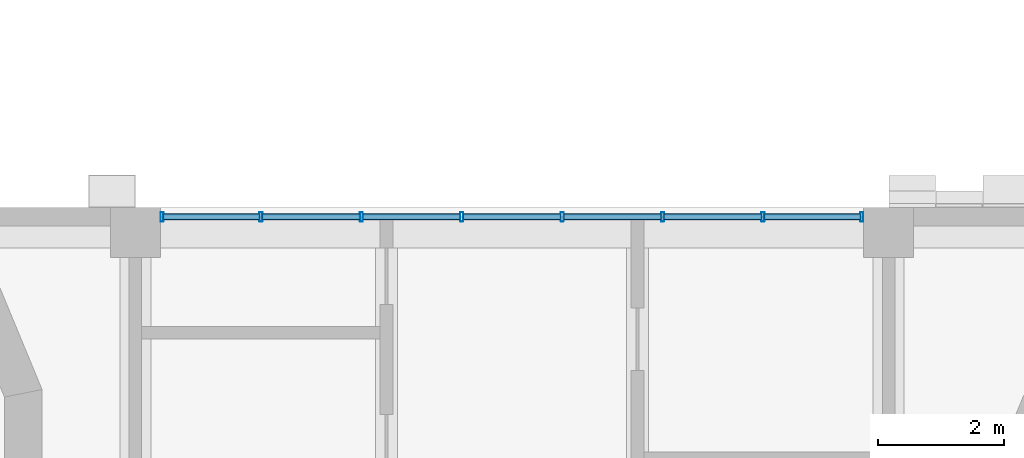
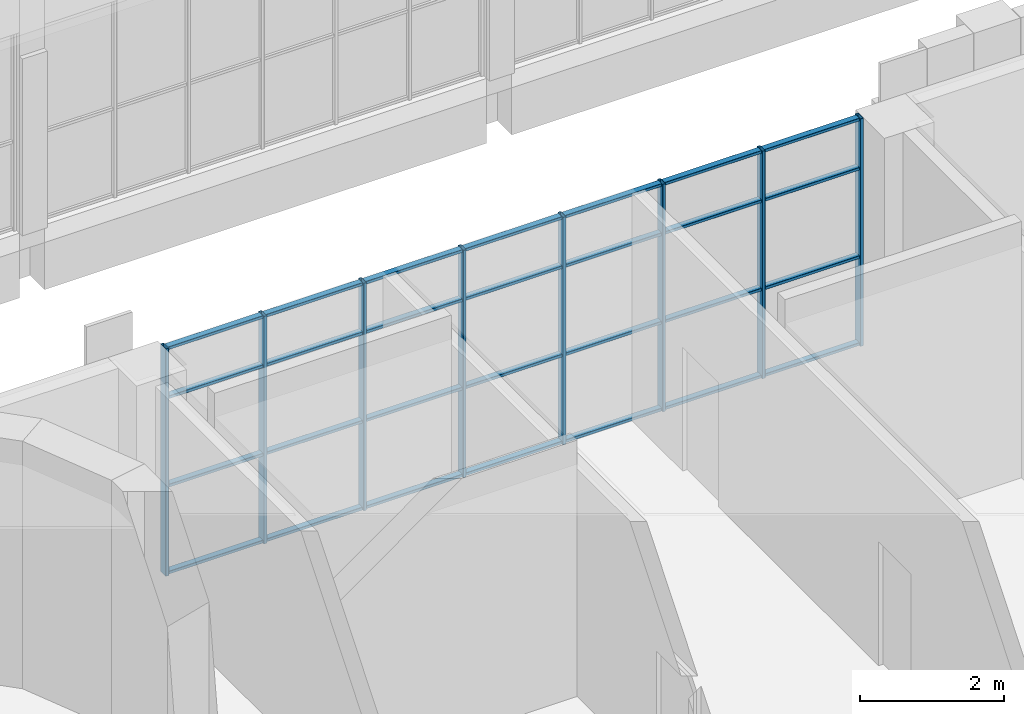
# One storey, part 7 of 92: 36 members, 1 element without a shape of its own.
"""IFC4 building model written with IfcOpenShell, lengths in metres."""

import ifcopenshell
import ifcopenshell.guid

model = None  # the IFC model being written
_history = None  # IfcOwnerHistory: only IFC2X3 demands one
_inside = {}  # id of a spatial element -> (the spatial element, [elements in it])
_under = {}  # id of a project, library or spatial element -> (it, [spatial elements below it])
_declared = {}  # id of a project -> (the project, [libraries it declares])
_typed = {}  # id of a type object -> (the type object, [elements of that type])
_made_of = {}  # id of a material, layer set ... -> (it, [elements and type objects made of it])


def new_model(schema):
    """Start an empty IFC model of exactly this schema.

    Asked for "IFC4X3", IfcOpenShell would pick the latest addendum, in which some entities
    have other attributes; the version numbers below select the first issue.
    IFC2X3 requires an IfcOwnerHistory on every rooted entity: one is made here for all.
    """
    global model, _history
    if schema == "IFC4X3":
        model = ifcopenshell.file(schema_version=(4, 3, 0, 0))
    else:
        model = ifcopenshell.file(schema=schema)
    _inside.clear()
    _under.clear()
    _declared.clear()
    _typed.clear()
    _made_of.clear()
    _history = None
    if model.schema == "IFC2X3":
        org = make("IfcOrganization", Name="unknown")
        user = make(
            "IfcPersonAndOrganization",
            ThePerson=make("IfcPerson", FamilyName="unknown"),
            TheOrganization=org,
        )
        app = make(
            "IfcApplication",
            ApplicationDeveloper=org,
            Version="unknown",
            ApplicationFullName="unknown",
            ApplicationIdentifier="unknown",
        )
        _history = make(
            "IfcOwnerHistory",
            OwningUser=user,
            OwningApplication=app,
            ChangeAction="ADDED",
            CreationDate=0,
        )
    return model


def make(cls, **values):
    """One entity of the class cls with the attributes given. An attribute that is None is left unset."""
    return model.create_entity(
        cls, **{name: value for name, value in values.items() if value is not None}
    )


def rooted(cls, **values):
    """An entity with a GlobalId (a new one), such as an element, a storey or a relation."""
    return make(cls, GlobalId=ifcopenshell.guid.new(), OwnerHistory=_history, **values)


def si_unit(unit_type, name, prefix=None):
    """IfcSIUnit, for example si_unit("LENGTHUNIT", "METRE", prefix="MILLI")."""
    return make("IfcSIUnit", UnitType=unit_type, Prefix=prefix, Name=name)


def assignment(units):
    """IfcUnitAssignment: the units of a project."""
    return None if units is None else make("IfcUnitAssignment", Units=units)


def point(xyz):
    """IfcCartesianPoint."""
    return None if xyz is None else make("IfcCartesianPoint", Coordinates=xyz)


def direction(xyz):
    """IfcDirection."""
    return None if xyz is None else make("IfcDirection", DirectionRatios=xyz)


def frame(location, z_axis=None, x_axis=None):
    """IfcAxis2Placement3D, a coordinate frame: its origin and axes. An axis left out is left unset."""
    return make(
        "IfcAxis2Placement3D",
        Location=point(location),
        Axis=direction(z_axis),
        RefDirection=direction(x_axis),
    )


def frame_2d(location, x_axis=None):
    """IfcAxis2Placement2D, a coordinate frame in the plane: its origin and x axis."""
    return make(
        "IfcAxis2Placement2D", Location=point(location), RefDirection=direction(x_axis)
    )


def origin():
    """The frame at (0, 0, 0) with its axes left unset."""
    return frame((0.0, 0.0, 0.0))


def origin_2d():
    """The frame at (0, 0) in the plane with its x axis left unset."""
    return frame_2d((0.0, 0.0))


def place(relative_to, where):
    """IfcLocalPlacement: puts the frame where relative to a parent placement (None: the world)."""
    return make(
        "IfcLocalPlacement", PlacementRelTo=relative_to, RelativePlacement=where
    )


def context(
    kind, dimensions, precision=None, world=None, true_north=None, identifier=None
):
    """IfcGeometricRepresentationContext, for example the 3D "Model" context."""
    return make(
        "IfcGeometricRepresentationContext",
        ContextIdentifier=identifier,
        ContextType=kind,
        CoordinateSpaceDimension=dimensions,
        Precision=precision,
        WorldCoordinateSystem=world,
        TrueNorth=true_north,
    )


def subcontext(parent, identifier, kind, view, scale=None):
    """IfcGeometricRepresentationSubContext, for example "Body" below "Model"."""
    return make(
        "IfcGeometricRepresentationSubContext",
        ContextIdentifier=identifier,
        ContextType=kind,
        ParentContext=parent,
        TargetScale=scale,
        TargetView=view,
    )


def project(units=None, contexts=None):
    """IfcProject with its units and contexts."""
    return rooted(
        "IfcProject",
        Name="project",
        RepresentationContexts=contexts,
        UnitsInContext=assignment(units),
    )


def spatial(cls, under=None, at=None, **own):
    """A site, building, storey or space (cls), placed at a placement, below another one or the project."""
    s = rooted(cls, ObjectPlacement=at, **own)
    if under is not None:
        _under.setdefault(under.id(), (under, []))[1].append(s)
    return s


def profile(cls, at=None, kind="AREA", **sizes):
    """A parametric profile (cls). Its sizes go by their IFC names, for example OverallWidth=200.0."""
    return make(cls, ProfileType=kind, Position=at, **sizes)


def hollow_rectangle(**sizes):
    """IfcRectangleHollowProfileDef."""
    return profile("IfcRectangleHollowProfileDef", **sizes)


def extrude(swept, where, along, depth):
    """IfcExtrudedAreaSolid: the profile swept, set in the frame where, extruded along a direction by depth."""
    return make(
        "IfcExtrudedAreaSolid",
        SweptArea=swept,
        Position=where,
        ExtrudedDirection=direction(along),
        Depth=depth,
    )


def shape(context_of_items, identifier, shape_type, items):
    """IfcShapeRepresentation: the items that make up one representation, for example the "Body"."""
    return make(
        "IfcShapeRepresentation",
        ContextOfItems=context_of_items,
        RepresentationIdentifier=identifier,
        RepresentationType=shape_type,
        Items=items,
    )


def material(Name=None, Category=None):
    """IfcMaterial."""
    return make("IfcMaterial", Name=Name, Category=Category)


def material_profile(
    of_material, cross_section, Name=None, Category=None, Priority=None
):
    """IfcMaterialProfile: a cross section and its material."""
    return make(
        "IfcMaterialProfile",
        Name=Name,
        Material=of_material,
        Profile=cross_section,
        Priority=Priority,
        Category=Category,
    )


def profile_set(profiles, Name=None, composite=None):
    """IfcMaterialProfileSet."""
    return make(
        "IfcMaterialProfileSet",
        Name=Name,
        MaterialProfiles=profiles,
        CompositeProfile=composite,
    )


def made_of(thing, what):
    """Note that an element or type object is made of a material, layer set ...; save() writes the relation."""
    if what is not None:
        _made_of.setdefault(what.id(), (what, []))[1].append(thing)
    return thing


def type_object(cls, material=None, **own):
    """A type object (cls), such as IfcWallType, which elements share."""
    return made_of(rooted(cls, **own), material)


def element(
    cls,
    number,
    at=None,
    inside=None,
    cuts=None,
    type_object=None,
    material=None,
    context=None,
    identifier="Body",
    shape_type=None,
    held_by="IfcProductDefinitionShape",
    body=None,
    shapes=None,
    **own,
):
    """One element of the class cls, such as IfcWall. Its Tag is "e" and its number.

    at: its placement. inside: the storey or other place that contains it. cuts: it is an
    opening in that element (IfcRelVoidsElement). A single representation is given by context,
    identifier, shape_type and body (its items); several are given by shapes. held_by: the class
    of the entity that holds the representations. save() writes the other relations.
    """
    e = rooted(cls, Tag="e%d" % number, ObjectPlacement=at, **own)
    if body is not None:
        shapes = [shape(context, identifier, shape_type, body)]
    if shapes is not None:
        e.Representation = make(held_by, Representations=shapes)
    if inside is not None:
        _inside.setdefault(inside.id(), (inside, []))[1].append(e)
    if cuts is not None:
        rooted(
            "IfcRelVoidsElement", RelatingBuildingElement=cuts, RelatedOpeningElement=e
        )
    if type_object is not None:
        _typed.setdefault(type_object.id(), (type_object, []))[1].append(e)
    return made_of(e, material)


def aggregate(whole, parts):
    """IfcRelAggregates: a whole, such as a stair, and the parts it consists of."""
    return rooted("IfcRelAggregates", RelatingObject=whole, RelatedObjects=parts)


def save(model, path):
    """Write the relations noted so far, then the file.

    IfcRelAggregates (storeys below a building ...), IfcRelContainedInSpatialStructure (elements
    in a storey), IfcRelDefinesByType, IfcRelAssociatesMaterial and IfcRelDeclares: one each for
    every whole, place, type object, material and project.
    """
    for whole, parts in _under.values():
        aggregate(whole, parts)
    for where, things in _inside.values():
        rooted(
            "IfcRelContainedInSpatialStructure",
            RelatedElements=things,
            RelatingStructure=where,
        )
    for kind, things in _typed.values():
        rooted("IfcRelDefinesByType", RelatedObjects=things, RelatingType=kind)
    for what, things in _made_of.values():
        rooted("IfcRelAssociatesMaterial", RelatedObjects=things, RelatingMaterial=what)
    for by, libraries in _declared.values():
        rooted("IfcRelDeclares", RelatingContext=by, RelatedDefinitions=libraries)
    model.write(path)


model = new_model("IFC4")

# Units and contexts
model_context = context("Model", 3, precision=1e-05, world=origin(), true_north=direction((0.0, 1.0)))
body_context = subcontext(model_context, "Body", "Model", "MODEL_VIEW")
ifc_project = project(units=[si_unit("LENGTHUNIT", "METRE"), si_unit("AREAUNIT", "SQUARE_METRE"), si_unit("VOLUMEUNIT", "CUBIC_METRE"), si_unit("PLANEANGLEUNIT", "RADIAN"), si_unit("MASSUNIT", "GRAM", prefix="KILO")], contexts=[model_context])

# Site, building, storey
site_placement = place(None, origin())
site = spatial("IfcSite", under=ifc_project, at=site_placement, CompositionType="ELEMENT")
building_placement = place(site_placement, origin())
building = spatial("IfcBuilding", under=site, at=building_placement, Name="Sun Court Science Centre", CompositionType="ELEMENT")
storey_placement = place(building_placement, frame((0.0, 0.0, 11.25)))
storey = spatial("IfcBuildingStorey", under=building, at=storey_placement, Name="L02", CompositionType="ELEMENT", Elevation=11.25)

# Curtain wall, members
ifc_material_1 = material(Name="Aluminium EN AW-6063 T6", Category="aluminium")
curtain_wall_type = type_object("IfcCurtainWallType", Name="Court gallery curtain wall 1500", PredefinedType="NOTDEFINED", material=ifc_material_1)
curtain_wall_placement = place(storey_placement, origin())
curtain_wall = element("IfcCurtainWall", 1, at=curtain_wall_placement, inside=storey, type_object=curtain_wall_type, Name="Curtain wall V2 N L02 02", PredefinedType="NOTDEFINED")
ifc_material_2 = material(Name="Aluminium EN AW-6063 T6", Category="aluminium")
ifc_material_profile_1 = material_profile(ifc_material_2, hollow_rectangle(XDim=0.050048828125, YDim=0.14990234375, WallThickness=0.00390625, InnerFilletRadius=0.00390625, OuterFilletRadius=0.006103515625, at=origin_2d()), Name="AL 50x150x4")
ifc_profile_set_1 = profile_set([ifc_material_profile_1], Name="Aluminium EN AW-6063 T6")
member_type_1 = type_object("IfcMemberType", Name="Curtain wall mullion AL 50x150", PredefinedType="MULLION", material=ifc_profile_set_1)
member_1_placement = place(storey_placement, frame((48.425048828125, 27.85009765625, 0.0), z_axis=(0.0, 0.0, 1.0), x_axis=(1.0, 0.0, 0.0)))
member_1 = element("IfcMember", 2, at=member_1_placement, type_object=member_type_1, Name="CW5-06 mullion 1", PredefinedType="MULLION", context=body_context, shape_type="SweptSolid", body=[
    extrude(hollow_rectangle(XDim=0.050048828125, YDim=0.14990234375, WallThickness=0.00390625, InnerFilletRadius=0.00390625, OuterFilletRadius=0.006103515625, at=origin_2d()), origin(), (0.0, 0.0, 1.0), 3.860107421875),
])
member_2_placement = place(storey_placement, frame((50.0, 27.85009765625, 0.0), z_axis=(0.0, 0.0, 1.0), x_axis=(1.0, 0.0, 0.0)))
member_2 = element("IfcMember", 3, at=member_2_placement, type_object=member_type_1, Name="CW5-06 mullion 2", PredefinedType="MULLION", context=body_context, shape_type="SweptSolid", body=[
    extrude(hollow_rectangle(XDim=0.050048828125, YDim=0.14990234375, WallThickness=0.00390625, InnerFilletRadius=0.00390625, OuterFilletRadius=0.006103515625, at=origin_2d()), origin(), (0.0, 0.0, 1.0), 3.860107421875),
])
member_3_placement = place(storey_placement, frame((51.60009765625, 27.85009765625, 0.0), z_axis=(0.0, 0.0, 1.0), x_axis=(1.0, 0.0, 0.0)))
member_3 = element("IfcMember", 4, at=member_3_placement, type_object=member_type_1, Name="CW5-06 mullion 3", PredefinedType="MULLION", context=body_context, shape_type="SweptSolid", body=[
    extrude(hollow_rectangle(XDim=0.050048828125, YDim=0.14990234375, WallThickness=0.00390625, InnerFilletRadius=0.00390625, OuterFilletRadius=0.006103515625, at=origin_2d()), origin(), (0.0, 0.0, 1.0), 3.860107421875),
])
member_4_placement = place(storey_placement, frame((53.199951171875, 27.85009765625, 0.0), z_axis=(0.0, 0.0, 1.0), x_axis=(1.0, 0.0, 0.0)))
member_4 = element("IfcMember", 5, at=member_4_placement, type_object=member_type_1, Name="CW5-06 mullion 4", PredefinedType="MULLION", context=body_context, shape_type="SweptSolid", body=[
    extrude(hollow_rectangle(XDim=0.050048828125, YDim=0.14990234375, WallThickness=0.00390625, InnerFilletRadius=0.00390625, OuterFilletRadius=0.006103515625, at=origin_2d()), origin(), (0.0, 0.0, 1.0), 3.860107421875),
])
member_5_placement = place(storey_placement, frame((54.800048828125, 27.85009765625, 0.0), z_axis=(0.0, 0.0, 1.0), x_axis=(1.0, 0.0, 0.0)))
member_5 = element("IfcMember", 6, at=member_5_placement, type_object=member_type_1, Name="CW5-06 mullion 5", PredefinedType="MULLION", context=body_context, shape_type="SweptSolid", body=[
    extrude(hollow_rectangle(XDim=0.050048828125, YDim=0.14990234375, WallThickness=0.00390625, InnerFilletRadius=0.00390625, OuterFilletRadius=0.006103515625, at=origin_2d()), origin(), (0.0, 0.0, 1.0), 3.860107421875),
])
member_6_placement = place(storey_placement, frame((56.39990234375, 27.85009765625, 0.0), z_axis=(0.0, 0.0, 1.0), x_axis=(1.0, 0.0, 0.0)))
member_6 = element("IfcMember", 7, at=member_6_placement, type_object=member_type_1, Name="CW5-06 mullion 6", PredefinedType="MULLION", context=body_context, shape_type="SweptSolid", body=[
    extrude(hollow_rectangle(XDim=0.050048828125, YDim=0.14990234375, WallThickness=0.00390625, InnerFilletRadius=0.00390625, OuterFilletRadius=0.006103515625, at=origin_2d()), origin(), (0.0, 0.0, 1.0), 3.860107421875),
])
member_7_placement = place(storey_placement, frame((58.0, 27.85009765625, 0.0), z_axis=(0.0, 0.0, 1.0), x_axis=(1.0, 0.0, 0.0)))
member_7 = element("IfcMember", 8, at=member_7_placement, type_object=member_type_1, Name="CW5-06 mullion 7", PredefinedType="MULLION", context=body_context, shape_type="SweptSolid", body=[
    extrude(hollow_rectangle(XDim=0.050048828125, YDim=0.14990234375, WallThickness=0.00390625, InnerFilletRadius=0.00390625, OuterFilletRadius=0.006103515625, at=origin_2d()), origin(), (0.0, 0.0, 1.0), 3.860107421875),
])
member_8_placement = place(storey_placement, frame((59.574951171875, 27.85009765625, 0.0), z_axis=(0.0, 0.0, 1.0), x_axis=(1.0, 0.0, 0.0)))
member_8 = element("IfcMember", 9, at=member_8_placement, type_object=member_type_1, Name="CW5-06 mullion 8", PredefinedType="MULLION", context=body_context, shape_type="SweptSolid", body=[
    extrude(hollow_rectangle(XDim=0.050048828125, YDim=0.14990234375, WallThickness=0.00390625, InnerFilletRadius=0.00390625, OuterFilletRadius=0.006103515625, at=origin_2d()), origin(), (0.0, 0.0, 1.0), 3.860107421875),
])
ifc_material_3 = material(Name="Aluminium EN AW-6063 T6", Category="aluminium")
ifc_material_profile_2 = material_profile(ifc_material_3, hollow_rectangle(XDim=0.050048828125, YDim=0.10009765625, WallThickness=0.00390625, InnerFilletRadius=0.00390625, OuterFilletRadius=0.006103515625, at=origin_2d()), Name="AL 50x100x4")
ifc_profile_set_2 = profile_set([ifc_material_profile_2], Name="Aluminium EN AW-6063 T6")
member_type_2 = type_object("IfcMemberType", Name="Curtain wall transom AL 50x100", PredefinedType="USERDEFINED", material=ifc_profile_set_2)
member_9_placement = place(storey_placement, frame((48.449951171875, 27.85009765625, 0.02490234375), z_axis=(1.0, 0.0, 0.0), x_axis=(0.0, 0.0, 1.0)))
member_9 = element("IfcMember", 10, at=member_9_placement, type_object=member_type_2, Name="CW5-06 transom 1.1", ObjectType="TRANSOM", PredefinedType="USERDEFINED", context=body_context, shape_type="SweptSolid", body=[
    extrude(hollow_rectangle(XDim=0.050048828125, YDim=0.10009765625, WallThickness=0.00390625, InnerFilletRadius=0.00390625, OuterFilletRadius=0.006103515625, at=origin_2d()), origin(), (0.0, 0.0, 1.0), 1.525146484375),
])
member_10_placement = place(storey_placement, frame((50.02490234375, 27.85009765625, 0.02490234375), z_axis=(1.0, 0.0, 0.0), x_axis=(0.0, 0.0, 1.0)))
member_10 = element("IfcMember", 11, at=member_10_placement, type_object=member_type_2, Name="CW5-06 transom 2.1", ObjectType="TRANSOM", PredefinedType="USERDEFINED", context=body_context, shape_type="SweptSolid", body=[
    extrude(hollow_rectangle(XDim=0.050048828125, YDim=0.10009765625, WallThickness=0.00390625, InnerFilletRadius=0.00390625, OuterFilletRadius=0.006103515625, at=origin_2d()), origin(), (0.0, 0.0, 1.0), 1.550048828125),
])
member_11_placement = place(storey_placement, frame((51.625, 27.85009765625, 0.02490234375), z_axis=(1.0, 0.0, 0.0), x_axis=(0.0, 0.0, 1.0)))
member_11 = element("IfcMember", 12, at=member_11_placement, type_object=member_type_2, Name="CW5-06 transom 3.1", ObjectType="TRANSOM", PredefinedType="USERDEFINED", context=body_context, shape_type="SweptSolid", body=[
    extrude(hollow_rectangle(XDim=0.050048828125, YDim=0.10009765625, WallThickness=0.00390625, InnerFilletRadius=0.00390625, OuterFilletRadius=0.006103515625, at=origin_2d()), origin(), (0.0, 0.0, 1.0), 1.550048828125),
])
member_12_placement = place(storey_placement, frame((53.22509765625, 27.85009765625, 0.02490234375), z_axis=(1.0, 0.0, 0.0), x_axis=(0.0, 0.0, 1.0)))
member_12 = element("IfcMember", 13, at=member_12_placement, type_object=member_type_2, Name="CW5-06 transom 4.1", ObjectType="TRANSOM", PredefinedType="USERDEFINED", context=body_context, shape_type="SweptSolid", body=[
    extrude(hollow_rectangle(XDim=0.050048828125, YDim=0.10009765625, WallThickness=0.00390625, InnerFilletRadius=0.00390625, OuterFilletRadius=0.006103515625, at=origin_2d()), origin(), (0.0, 0.0, 1.0), 1.5498046875),
])
member_13_placement = place(storey_placement, frame((54.824951171875, 27.85009765625, 0.02490234375), z_axis=(1.0, 0.0, 0.0), x_axis=(0.0, 0.0, 1.0)))
member_13 = element("IfcMember", 14, at=member_13_placement, type_object=member_type_2, Name="CW5-06 transom 5.1", ObjectType="TRANSOM", PredefinedType="USERDEFINED", context=body_context, shape_type="SweptSolid", body=[
    extrude(hollow_rectangle(XDim=0.050048828125, YDim=0.10009765625, WallThickness=0.00390625, InnerFilletRadius=0.00390625, OuterFilletRadius=0.006103515625, at=origin_2d()), origin(), (0.0, 0.0, 1.0), 1.550048828125),
])
member_14_placement = place(storey_placement, frame((56.425048828125, 27.85009765625, 0.02490234375), z_axis=(1.0, 0.0, 0.0), x_axis=(0.0, 0.0, 1.0)))
member_14 = element("IfcMember", 15, at=member_14_placement, type_object=member_type_2, Name="CW5-06 transom 6.1", ObjectType="TRANSOM", PredefinedType="USERDEFINED", context=body_context, shape_type="SweptSolid", body=[
    extrude(hollow_rectangle(XDim=0.050048828125, YDim=0.10009765625, WallThickness=0.00390625, InnerFilletRadius=0.00390625, OuterFilletRadius=0.006103515625, at=origin_2d()), origin(), (0.0, 0.0, 1.0), 1.550048828125),
])
member_15_placement = place(storey_placement, frame((58.02490234375, 27.85009765625, 0.02490234375), z_axis=(1.0, 0.0, 0.0), x_axis=(0.0, 0.0, 1.0)))
member_15 = element("IfcMember", 16, at=member_15_placement, type_object=member_type_2, Name="CW5-06 transom 7.1", ObjectType="TRANSOM", PredefinedType="USERDEFINED", context=body_context, shape_type="SweptSolid", body=[
    extrude(hollow_rectangle(XDim=0.050048828125, YDim=0.10009765625, WallThickness=0.00390625, InnerFilletRadius=0.00390625, OuterFilletRadius=0.006103515625, at=origin_2d()), origin(), (0.0, 0.0, 1.0), 1.525146484375),
])
member_16_placement = place(storey_placement, frame((48.449951171875, 27.85009765625, 1.5), z_axis=(1.0, 0.0, 0.0), x_axis=(0.0, 0.0, 1.0)))
member_16 = element("IfcMember", 17, at=member_16_placement, type_object=member_type_2, Name="CW5-06 transom 1.2", ObjectType="TRANSOM", PredefinedType="USERDEFINED", context=body_context, shape_type="SweptSolid", body=[
    extrude(hollow_rectangle(XDim=0.050048828125, YDim=0.10009765625, WallThickness=0.00390625, InnerFilletRadius=0.00390625, OuterFilletRadius=0.006103515625, at=origin_2d()), origin(), (0.0, 0.0, 1.0), 1.525146484375),
])
member_17_placement = place(storey_placement, frame((50.02490234375, 27.85009765625, 1.5), z_axis=(1.0, 0.0, 0.0), x_axis=(0.0, 0.0, 1.0)))
member_17 = element("IfcMember", 18, at=member_17_placement, type_object=member_type_2, Name="CW5-06 transom 2.2", ObjectType="TRANSOM", PredefinedType="USERDEFINED", context=body_context, shape_type="SweptSolid", body=[
    extrude(hollow_rectangle(XDim=0.050048828125, YDim=0.10009765625, WallThickness=0.00390625, InnerFilletRadius=0.00390625, OuterFilletRadius=0.006103515625, at=origin_2d()), origin(), (0.0, 0.0, 1.0), 1.550048828125),
])
member_18_placement = place(storey_placement, frame((51.625, 27.85009765625, 1.5), z_axis=(1.0, 0.0, 0.0), x_axis=(0.0, 0.0, 1.0)))
member_18 = element("IfcMember", 19, at=member_18_placement, type_object=member_type_2, Name="CW5-06 transom 3.2", ObjectType="TRANSOM", PredefinedType="USERDEFINED", context=body_context, shape_type="SweptSolid", body=[
    extrude(hollow_rectangle(XDim=0.050048828125, YDim=0.10009765625, WallThickness=0.00390625, InnerFilletRadius=0.00390625, OuterFilletRadius=0.006103515625, at=origin_2d()), origin(), (0.0, 0.0, 1.0), 1.550048828125),
])
member_19_placement = place(storey_placement, frame((53.22509765625, 27.85009765625, 1.5), z_axis=(1.0, 0.0, 0.0), x_axis=(0.0, 0.0, 1.0)))
member_19 = element("IfcMember", 20, at=member_19_placement, type_object=member_type_2, Name="CW5-06 transom 4.2", ObjectType="TRANSOM", PredefinedType="USERDEFINED", context=body_context, shape_type="SweptSolid", body=[
    extrude(hollow_rectangle(XDim=0.050048828125, YDim=0.10009765625, WallThickness=0.00390625, InnerFilletRadius=0.00390625, OuterFilletRadius=0.006103515625, at=origin_2d()), origin(), (0.0, 0.0, 1.0), 1.5498046875),
])
member_20_placement = place(storey_placement, frame((54.824951171875, 27.85009765625, 1.5), z_axis=(1.0, 0.0, 0.0), x_axis=(0.0, 0.0, 1.0)))
member_20 = element("IfcMember", 21, at=member_20_placement, type_object=member_type_2, Name="CW5-06 transom 5.2", ObjectType="TRANSOM", PredefinedType="USERDEFINED", context=body_context, shape_type="SweptSolid", body=[
    extrude(hollow_rectangle(XDim=0.050048828125, YDim=0.10009765625, WallThickness=0.00390625, InnerFilletRadius=0.00390625, OuterFilletRadius=0.006103515625, at=origin_2d()), origin(), (0.0, 0.0, 1.0), 1.550048828125),
])
member_21_placement = place(storey_placement, frame((56.425048828125, 27.85009765625, 1.5), z_axis=(1.0, 0.0, 0.0), x_axis=(0.0, 0.0, 1.0)))
member_21 = element("IfcMember", 22, at=member_21_placement, type_object=member_type_2, Name="CW5-06 transom 6.2", ObjectType="TRANSOM", PredefinedType="USERDEFINED", context=body_context, shape_type="SweptSolid", body=[
    extrude(hollow_rectangle(XDim=0.050048828125, YDim=0.10009765625, WallThickness=0.00390625, InnerFilletRadius=0.00390625, OuterFilletRadius=0.006103515625, at=origin_2d()), origin(), (0.0, 0.0, 1.0), 1.550048828125),
])
member_22_placement = place(storey_placement, frame((58.02490234375, 27.85009765625, 1.5), z_axis=(1.0, 0.0, 0.0), x_axis=(0.0, 0.0, 1.0)))
member_22 = element("IfcMember", 23, at=member_22_placement, type_object=member_type_2, Name="CW5-06 transom 7.2", ObjectType="TRANSOM", PredefinedType="USERDEFINED", context=body_context, shape_type="SweptSolid", body=[
    extrude(hollow_rectangle(XDim=0.050048828125, YDim=0.10009765625, WallThickness=0.00390625, InnerFilletRadius=0.00390625, OuterFilletRadius=0.006103515625, at=origin_2d()), origin(), (0.0, 0.0, 1.0), 1.525146484375),
])
member_23_placement = place(storey_placement, frame((48.449951171875, 27.85009765625, 3.0), z_axis=(1.0, 0.0, 0.0), x_axis=(0.0, 0.0, 1.0)))
member_23 = element("IfcMember", 24, at=member_23_placement, type_object=member_type_2, Name="CW5-06 transom 1.3", ObjectType="TRANSOM", PredefinedType="USERDEFINED", context=body_context, shape_type="SweptSolid", body=[
    extrude(hollow_rectangle(XDim=0.050048828125, YDim=0.10009765625, WallThickness=0.00390625, InnerFilletRadius=0.00390625, OuterFilletRadius=0.006103515625, at=origin_2d()), origin(), (0.0, 0.0, 1.0), 1.525146484375),
])
member_24_placement = place(storey_placement, frame((50.02490234375, 27.85009765625, 3.0), z_axis=(1.0, 0.0, 0.0), x_axis=(0.0, 0.0, 1.0)))
member_24 = element("IfcMember", 25, at=member_24_placement, type_object=member_type_2, Name="CW5-06 transom 2.3", ObjectType="TRANSOM", PredefinedType="USERDEFINED", context=body_context, shape_type="SweptSolid", body=[
    extrude(hollow_rectangle(XDim=0.050048828125, YDim=0.10009765625, WallThickness=0.00390625, InnerFilletRadius=0.00390625, OuterFilletRadius=0.006103515625, at=origin_2d()), origin(), (0.0, 0.0, 1.0), 1.550048828125),
])
member_25_placement = place(storey_placement, frame((51.625, 27.85009765625, 3.0), z_axis=(1.0, 0.0, 0.0), x_axis=(0.0, 0.0, 1.0)))
member_25 = element("IfcMember", 26, at=member_25_placement, type_object=member_type_2, Name="CW5-06 transom 3.3", ObjectType="TRANSOM", PredefinedType="USERDEFINED", context=body_context, shape_type="SweptSolid", body=[
    extrude(hollow_rectangle(XDim=0.050048828125, YDim=0.10009765625, WallThickness=0.00390625, InnerFilletRadius=0.00390625, OuterFilletRadius=0.006103515625, at=origin_2d()), origin(), (0.0, 0.0, 1.0), 1.550048828125),
])
member_26_placement = place(storey_placement, frame((53.22509765625, 27.85009765625, 3.0), z_axis=(1.0, 0.0, 0.0), x_axis=(0.0, 0.0, 1.0)))
member_26 = element("IfcMember", 27, at=member_26_placement, type_object=member_type_2, Name="CW5-06 transom 4.3", ObjectType="TRANSOM", PredefinedType="USERDEFINED", context=body_context, shape_type="SweptSolid", body=[
    extrude(hollow_rectangle(XDim=0.050048828125, YDim=0.10009765625, WallThickness=0.00390625, InnerFilletRadius=0.00390625, OuterFilletRadius=0.006103515625, at=origin_2d()), origin(), (0.0, 0.0, 1.0), 1.5498046875),
])
member_27_placement = place(storey_placement, frame((54.824951171875, 27.85009765625, 3.0), z_axis=(1.0, 0.0, 0.0), x_axis=(0.0, 0.0, 1.0)))
member_27 = element("IfcMember", 28, at=member_27_placement, type_object=member_type_2, Name="CW5-06 transom 5.3", ObjectType="TRANSOM", PredefinedType="USERDEFINED", context=body_context, shape_type="SweptSolid", body=[
    extrude(hollow_rectangle(XDim=0.050048828125, YDim=0.10009765625, WallThickness=0.00390625, InnerFilletRadius=0.00390625, OuterFilletRadius=0.006103515625, at=origin_2d()), origin(), (0.0, 0.0, 1.0), 1.550048828125),
])
member_28_placement = place(storey_placement, frame((56.425048828125, 27.85009765625, 3.0), z_axis=(1.0, 0.0, 0.0), x_axis=(0.0, 0.0, 1.0)))
member_28 = element("IfcMember", 29, at=member_28_placement, type_object=member_type_2, Name="CW5-06 transom 6.3", ObjectType="TRANSOM", PredefinedType="USERDEFINED", context=body_context, shape_type="SweptSolid", body=[
    extrude(hollow_rectangle(XDim=0.050048828125, YDim=0.10009765625, WallThickness=0.00390625, InnerFilletRadius=0.00390625, OuterFilletRadius=0.006103515625, at=origin_2d()), origin(), (0.0, 0.0, 1.0), 1.550048828125),
])
member_29_placement = place(storey_placement, frame((58.02490234375, 27.85009765625, 3.0), z_axis=(1.0, 0.0, 0.0), x_axis=(0.0, 0.0, 1.0)))
member_29 = element("IfcMember", 30, at=member_29_placement, type_object=member_type_2, Name="CW5-06 transom 7.3", ObjectType="TRANSOM", PredefinedType="USERDEFINED", context=body_context, shape_type="SweptSolid", body=[
    extrude(hollow_rectangle(XDim=0.050048828125, YDim=0.10009765625, WallThickness=0.00390625, InnerFilletRadius=0.00390625, OuterFilletRadius=0.006103515625, at=origin_2d()), origin(), (0.0, 0.0, 1.0), 1.525146484375),
])
member_30_placement = place(storey_placement, frame((48.449951171875, 27.85009765625, 3.8349609375), z_axis=(1.0, 0.0, 0.0), x_axis=(0.0, 0.0, 1.0)))
member_30 = element("IfcMember", 31, at=member_30_placement, type_object=member_type_2, Name="CW5-06 transom 1.4", ObjectType="TRANSOM", PredefinedType="USERDEFINED", context=body_context, shape_type="SweptSolid", body=[
    extrude(hollow_rectangle(XDim=0.050048828125, YDim=0.10009765625, WallThickness=0.00390625, InnerFilletRadius=0.00390625, OuterFilletRadius=0.006103515625, at=origin_2d()), origin(), (0.0, 0.0, 1.0), 1.525146484375),
])
member_31_placement = place(storey_placement, frame((50.02490234375, 27.85009765625, 3.8349609375), z_axis=(1.0, 0.0, 0.0), x_axis=(0.0, 0.0, 1.0)))
member_31 = element("IfcMember", 32, at=member_31_placement, type_object=member_type_2, Name="CW5-06 transom 2.4", ObjectType="TRANSOM", PredefinedType="USERDEFINED", context=body_context, shape_type="SweptSolid", body=[
    extrude(hollow_rectangle(XDim=0.050048828125, YDim=0.10009765625, WallThickness=0.00390625, InnerFilletRadius=0.00390625, OuterFilletRadius=0.006103515625, at=origin_2d()), origin(), (0.0, 0.0, 1.0), 1.550048828125),
])
member_32_placement = place(storey_placement, frame((51.625, 27.85009765625, 3.8349609375), z_axis=(1.0, 0.0, 0.0), x_axis=(0.0, 0.0, 1.0)))
member_32 = element("IfcMember", 33, at=member_32_placement, type_object=member_type_2, Name="CW5-06 transom 3.4", ObjectType="TRANSOM", PredefinedType="USERDEFINED", context=body_context, shape_type="SweptSolid", body=[
    extrude(hollow_rectangle(XDim=0.050048828125, YDim=0.10009765625, WallThickness=0.00390625, InnerFilletRadius=0.00390625, OuterFilletRadius=0.006103515625, at=origin_2d()), origin(), (0.0, 0.0, 1.0), 1.550048828125),
])
member_33_placement = place(storey_placement, frame((53.22509765625, 27.85009765625, 3.8349609375), z_axis=(1.0, 0.0, 0.0), x_axis=(0.0, 0.0, 1.0)))
member_33 = element("IfcMember", 34, at=member_33_placement, type_object=member_type_2, Name="CW5-06 transom 4.4", ObjectType="TRANSOM", PredefinedType="USERDEFINED", context=body_context, shape_type="SweptSolid", body=[
    extrude(hollow_rectangle(XDim=0.050048828125, YDim=0.10009765625, WallThickness=0.00390625, InnerFilletRadius=0.00390625, OuterFilletRadius=0.006103515625, at=origin_2d()), origin(), (0.0, 0.0, 1.0), 1.5498046875),
])
member_34_placement = place(storey_placement, frame((54.824951171875, 27.85009765625, 3.8349609375), z_axis=(1.0, 0.0, 0.0), x_axis=(0.0, 0.0, 1.0)))
member_34 = element("IfcMember", 35, at=member_34_placement, type_object=member_type_2, Name="CW5-06 transom 5.4", ObjectType="TRANSOM", PredefinedType="USERDEFINED", context=body_context, shape_type="SweptSolid", body=[
    extrude(hollow_rectangle(XDim=0.050048828125, YDim=0.10009765625, WallThickness=0.00390625, InnerFilletRadius=0.00390625, OuterFilletRadius=0.006103515625, at=origin_2d()), origin(), (0.0, 0.0, 1.0), 1.550048828125),
])
member_35_placement = place(storey_placement, frame((56.425048828125, 27.85009765625, 3.8349609375), z_axis=(1.0, 0.0, 0.0), x_axis=(0.0, 0.0, 1.0)))
member_35 = element("IfcMember", 36, at=member_35_placement, type_object=member_type_2, Name="CW5-06 transom 6.4", ObjectType="TRANSOM", PredefinedType="USERDEFINED", context=body_context, shape_type="SweptSolid", body=[
    extrude(hollow_rectangle(XDim=0.050048828125, YDim=0.10009765625, WallThickness=0.00390625, InnerFilletRadius=0.00390625, OuterFilletRadius=0.006103515625, at=origin_2d()), origin(), (0.0, 0.0, 1.0), 1.550048828125),
])
member_36_placement = place(storey_placement, frame((58.02490234375, 27.85009765625, 3.8349609375), z_axis=(1.0, 0.0, 0.0), x_axis=(0.0, 0.0, 1.0)))
member_36 = element("IfcMember", 37, at=member_36_placement, type_object=member_type_2, Name="CW5-06 transom 7.4", ObjectType="TRANSOM", PredefinedType="USERDEFINED", context=body_context, shape_type="SweptSolid", body=[
    extrude(hollow_rectangle(XDim=0.050048828125, YDim=0.10009765625, WallThickness=0.00390625, InnerFilletRadius=0.00390625, OuterFilletRadius=0.006103515625, at=origin_2d()), origin(), (0.0, 0.0, 1.0), 1.525146484375),
])
aggregate(curtain_wall, [member_1, member_2, member_3, member_4, member_5, member_6, member_7, member_8, member_9, member_10, member_11, member_12, member_13, member_14, member_15, member_16, member_17, member_18, member_19, member_20, member_21, member_22, member_23, member_24, member_25, member_26, member_27, member_28, member_29, member_30, member_31, member_32, member_33, member_34, member_35, member_36])

save(model, "model.ifc")
